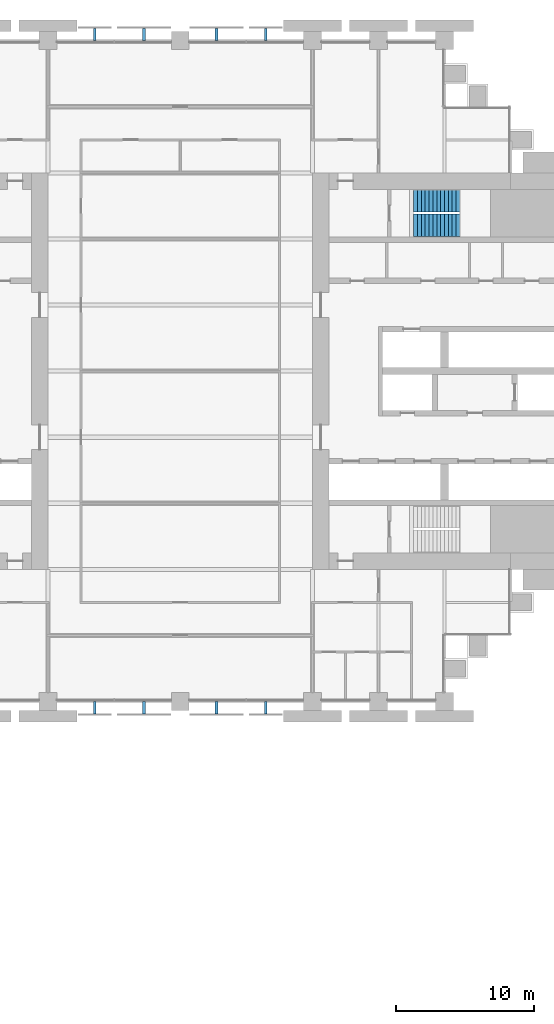
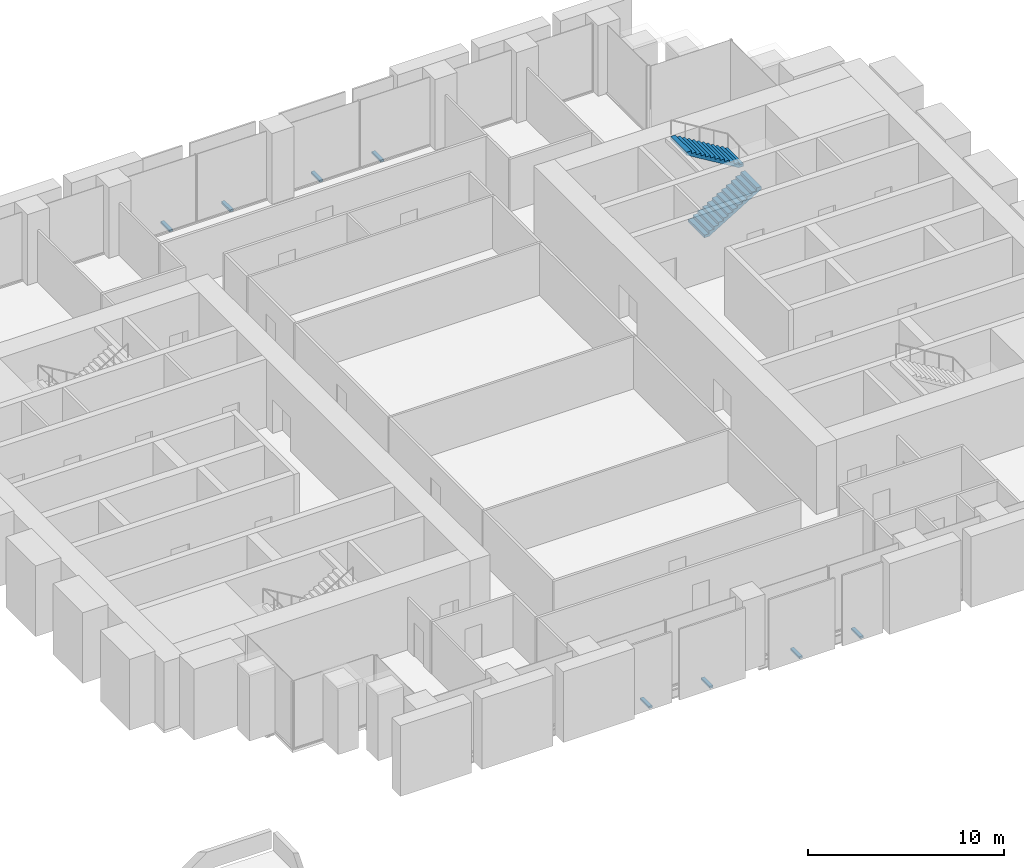
# One storey, part 13 of 14: 8 discrete accessories, 2 stair flights, 1 element without a shape of its own.
"""IFC4 building model written with IfcOpenShell, lengths in metres."""

import ifcopenshell
import ifcopenshell.guid

model = None  # the IFC model being written
_history = None  # IfcOwnerHistory: only IFC2X3 demands one
_inside = {}  # id of a spatial element -> (the spatial element, [elements in it])
_under = {}  # id of a project, library or spatial element -> (it, [spatial elements below it])
_declared = {}  # id of a project -> (the project, [libraries it declares])
_typed = {}  # id of a type object -> (the type object, [elements of that type])
_made_of = {}  # id of a material, layer set ... -> (it, [elements and type objects made of it])


def new_model(schema):
    """Start an empty IFC model of exactly this schema.

    Asked for "IFC4X3", IfcOpenShell would pick the latest addendum, in which some entities
    have other attributes; the version numbers below select the first issue.
    IFC2X3 requires an IfcOwnerHistory on every rooted entity: one is made here for all.
    """
    global model, _history
    if schema == "IFC4X3":
        model = ifcopenshell.file(schema_version=(4, 3, 0, 0))
    else:
        model = ifcopenshell.file(schema=schema)
    _inside.clear()
    _under.clear()
    _declared.clear()
    _typed.clear()
    _made_of.clear()
    _history = None
    if model.schema == "IFC2X3":
        org = make("IfcOrganization", Name="unknown")
        user = make(
            "IfcPersonAndOrganization",
            ThePerson=make("IfcPerson", FamilyName="unknown"),
            TheOrganization=org,
        )
        app = make(
            "IfcApplication",
            ApplicationDeveloper=org,
            Version="unknown",
            ApplicationFullName="unknown",
            ApplicationIdentifier="unknown",
        )
        _history = make(
            "IfcOwnerHistory",
            OwningUser=user,
            OwningApplication=app,
            ChangeAction="ADDED",
            CreationDate=0,
        )
    return model


def make(cls, **values):
    """One entity of the class cls with the attributes given. An attribute that is None is left unset."""
    return model.create_entity(
        cls, **{name: value for name, value in values.items() if value is not None}
    )


def rooted(cls, **values):
    """An entity with a GlobalId (a new one), such as an element, a storey or a relation."""
    return make(cls, GlobalId=ifcopenshell.guid.new(), OwnerHistory=_history, **values)


def si_unit(unit_type, name, prefix=None):
    """IfcSIUnit, for example si_unit("LENGTHUNIT", "METRE", prefix="MILLI")."""
    return make("IfcSIUnit", UnitType=unit_type, Prefix=prefix, Name=name)


def assignment(units):
    """IfcUnitAssignment: the units of a project."""
    return None if units is None else make("IfcUnitAssignment", Units=units)


def point(xyz):
    """IfcCartesianPoint."""
    return None if xyz is None else make("IfcCartesianPoint", Coordinates=xyz)


def direction(xyz):
    """IfcDirection."""
    return None if xyz is None else make("IfcDirection", DirectionRatios=xyz)


def frame(location, z_axis=None, x_axis=None):
    """IfcAxis2Placement3D, a coordinate frame: its origin and axes. An axis left out is left unset."""
    return make(
        "IfcAxis2Placement3D",
        Location=point(location),
        Axis=direction(z_axis),
        RefDirection=direction(x_axis),
    )


def frame_2d(location, x_axis=None):
    """IfcAxis2Placement2D, a coordinate frame in the plane: its origin and x axis."""
    return make(
        "IfcAxis2Placement2D", Location=point(location), RefDirection=direction(x_axis)
    )


def origin():
    """The frame at (0, 0, 0) with its axes left unset."""
    return frame((0.0, 0.0, 0.0))


def origin_2d():
    """The frame at (0, 0) in the plane with its x axis left unset."""
    return frame_2d((0.0, 0.0))


def place(relative_to, where):
    """IfcLocalPlacement: puts the frame where relative to a parent placement (None: the world)."""
    return make(
        "IfcLocalPlacement", PlacementRelTo=relative_to, RelativePlacement=where
    )


def context(
    kind, dimensions, precision=None, world=None, true_north=None, identifier=None
):
    """IfcGeometricRepresentationContext, for example the 3D "Model" context."""
    return make(
        "IfcGeometricRepresentationContext",
        ContextIdentifier=identifier,
        ContextType=kind,
        CoordinateSpaceDimension=dimensions,
        Precision=precision,
        WorldCoordinateSystem=world,
        TrueNorth=true_north,
    )


def subcontext(parent, identifier, kind, view, scale=None):
    """IfcGeometricRepresentationSubContext, for example "Body" below "Model"."""
    return make(
        "IfcGeometricRepresentationSubContext",
        ContextIdentifier=identifier,
        ContextType=kind,
        ParentContext=parent,
        TargetScale=scale,
        TargetView=view,
    )


def project(units=None, contexts=None):
    """IfcProject with its units and contexts."""
    return rooted(
        "IfcProject",
        Name="project",
        RepresentationContexts=contexts,
        UnitsInContext=assignment(units),
    )


def spatial(cls, under=None, at=None, **own):
    """A site, building, storey or space (cls), placed at a placement, below another one or the project."""
    s = rooted(cls, ObjectPlacement=at, **own)
    if under is not None:
        _under.setdefault(under.id(), (under, []))[1].append(s)
    return s


def polyline(points):
    """IfcPolyline through the points."""
    return make("IfcPolyline", Points=[point(p) for p in points])


def profile(cls, at=None, kind="AREA", **sizes):
    """A parametric profile (cls). Its sizes go by their IFC names, for example OverallWidth=200.0."""
    return make(cls, ProfileType=kind, Position=at, **sizes)


def rectangle(**sizes):
    """IfcRectangleProfileDef."""
    return profile("IfcRectangleProfileDef", **sizes)


def outline(outer, holes=None, kind="AREA"):
    """IfcArbitraryClosedProfileDef: a profile drawn as a closed curve; with holes, ...WithVoids."""
    if holes is None:
        return make("IfcArbitraryClosedProfileDef", ProfileType=kind, OuterCurve=outer)
    return make(
        "IfcArbitraryProfileDefWithVoids",
        ProfileType=kind,
        OuterCurve=outer,
        InnerCurves=holes,
    )


def extrude(swept, where, along, depth):
    """IfcExtrudedAreaSolid: the profile swept, set in the frame where, extruded along a direction by depth."""
    return make(
        "IfcExtrudedAreaSolid",
        SweptArea=swept,
        Position=where,
        ExtrudedDirection=direction(along),
        Depth=depth,
    )


def shape(context_of_items, identifier, shape_type, items):
    """IfcShapeRepresentation: the items that make up one representation, for example the "Body"."""
    return make(
        "IfcShapeRepresentation",
        ContextOfItems=context_of_items,
        RepresentationIdentifier=identifier,
        RepresentationType=shape_type,
        Items=items,
    )


def material(Name=None, Category=None):
    """IfcMaterial."""
    return make("IfcMaterial", Name=Name, Category=Category)


def made_of(thing, what):
    """Note that an element or type object is made of a material, layer set ...; save() writes the relation."""
    if what is not None:
        _made_of.setdefault(what.id(), (what, []))[1].append(thing)
    return thing


def type_object(cls, material=None, **own):
    """A type object (cls), such as IfcWallType, which elements share."""
    return made_of(rooted(cls, **own), material)


def element(
    cls,
    number,
    at=None,
    inside=None,
    cuts=None,
    type_object=None,
    material=None,
    context=None,
    identifier="Body",
    shape_type=None,
    held_by="IfcProductDefinitionShape",
    body=None,
    shapes=None,
    **own,
):
    """One element of the class cls, such as IfcWall. Its Tag is "e" and its number.

    at: its placement. inside: the storey or other place that contains it. cuts: it is an
    opening in that element (IfcRelVoidsElement). A single representation is given by context,
    identifier, shape_type and body (its items); several are given by shapes. held_by: the class
    of the entity that holds the representations. save() writes the other relations.
    """
    e = rooted(cls, Tag="e%d" % number, ObjectPlacement=at, **own)
    if body is not None:
        shapes = [shape(context, identifier, shape_type, body)]
    if shapes is not None:
        e.Representation = make(held_by, Representations=shapes)
    if inside is not None:
        _inside.setdefault(inside.id(), (inside, []))[1].append(e)
    if cuts is not None:
        rooted(
            "IfcRelVoidsElement", RelatingBuildingElement=cuts, RelatedOpeningElement=e
        )
    if type_object is not None:
        _typed.setdefault(type_object.id(), (type_object, []))[1].append(e)
    return made_of(e, material)


def aggregate(whole, parts):
    """IfcRelAggregates: a whole, such as a stair, and the parts it consists of."""
    return rooted("IfcRelAggregates", RelatingObject=whole, RelatedObjects=parts)


def save(model, path):
    """Write the relations noted so far, then the file.

    IfcRelAggregates (storeys below a building ...), IfcRelContainedInSpatialStructure (elements
    in a storey), IfcRelDefinesByType, IfcRelAssociatesMaterial and IfcRelDeclares: one each for
    every whole, place, type object, material and project.
    """
    for whole, parts in _under.values():
        aggregate(whole, parts)
    for where, things in _inside.values():
        rooted(
            "IfcRelContainedInSpatialStructure",
            RelatedElements=things,
            RelatingStructure=where,
        )
    for kind, things in _typed.values():
        rooted("IfcRelDefinesByType", RelatedObjects=things, RelatingType=kind)
    for what, things in _made_of.values():
        rooted("IfcRelAssociatesMaterial", RelatedObjects=things, RelatingMaterial=what)
    for by, libraries in _declared.values():
        rooted("IfcRelDeclares", RelatingContext=by, RelatedDefinitions=libraries)
    model.write(path)


model = new_model("IFC4")

# Units and contexts
model_context = context("Model", 3, precision=1e-05, world=origin(), true_north=direction((0.0, 1.0)))
body_context = subcontext(model_context, "Body", "Model", "MODEL_VIEW")
ifc_project = project(units=[si_unit("LENGTHUNIT", "METRE"), si_unit("AREAUNIT", "SQUARE_METRE"), si_unit("VOLUMEUNIT", "CUBIC_METRE"), si_unit("PLANEANGLEUNIT", "RADIAN"), si_unit("MASSUNIT", "GRAM", prefix="KILO")], contexts=[model_context])

# Site, building, storey
site_placement = place(None, origin())
site = spatial("IfcSite", under=ifc_project, at=site_placement, CompositionType="ELEMENT")
building_placement = place(site_placement, origin())
building = spatial("IfcBuilding", under=site, at=building_placement, Name="Baori Bourse Tower", CompositionType="ELEMENT")
storey_placement = place(building_placement, frame((0.0, 0.0, 30.199951171875)))
storey = spatial("IfcBuildingStorey", under=building, at=storey_placement, Name="L05", CompositionType="ELEMENT", Elevation=30.199951171875)

# Stair, stair flights
ifc_material_1 = material(Name="Concrete f'c 50 MPa", Category="concrete")
stair_type = type_object("IfcStairType", Name="Core stair", PredefinedType="HALF_TURN_STAIR", material=ifc_material_1)
stair_placement = place(storey_placement, origin())
stair = element("IfcStair", 1, at=stair_placement, inside=storey, type_object=stair_type, Name="L05 Stair EB", PredefinedType="HALF_TURN_STAIR")
ifc_material_2 = material(Name="Concrete f'c 50 MPa", Category="concrete")
stair_flight_type = type_object("IfcStairFlightType", Name="Core stair flight", PredefinedType="STRAIGHT", material=ifc_material_2)
stair_flight_1_placement = place(storey_placement, frame((45.75, 34.574951171875, 0.0), z_axis=(0.0, 0.0, 1.0), x_axis=(1.0, 0.0, 0.0)))
stair_flight_1 = element("IfcStairFlight", 2, at=stair_flight_1_placement, type_object=stair_flight_type, Name="ST4 flight 1", NumberOfRisers=13, NumberOfTreads=12, PredefinedType="STRAIGHT", RiserHeight=0.169230769, TreadLength=0.28, context=body_context, shape_type="SweptSolid", body=[
    extrude(outline(polyline([(0.0, 0.0), (0.0, 0.169189453125), (0.280029296875, 0.169189453125), (0.280029296875, 0.33837890625), (0.56005859375, 0.33837890625), (0.56005859375, 0.5078125), (0.840087890625, 0.5078125), (0.840087890625, 0.677001953125), (1.1201171875, 0.677001953125), (1.1201171875, 0.84619140625), (1.39990234375, 0.84619140625), (1.39990234375, 1.015380859375), (1.679931640625, 1.015380859375), (1.679931640625, 1.1845703125), (1.9599609375, 1.1845703125), (1.9599609375, 1.353759765625), (2.239990234375, 1.353759765625), (2.239990234375, 1.523193359375), (2.52001953125, 1.523193359375), (2.52001953125, 1.6923828125), (2.800048828125, 1.6923828125), (2.800048828125, 1.861572265625), (3.080078125, 1.861572265625), (3.080078125, 2.03076171875), (3.360107421875, 2.03076171875), (3.360107421875, 2.199951171875), (3.360107421875, 1.855712890625), (0.289794921875, 0.0), (0.0, 0.0)])), frame((0.0, 0.824951171875, 0.0), z_axis=(0.0, -1.0, 0.0), x_axis=(1.0, 0.0, 0.0)), (0.0, 0.0, 1.0), 1.64990234375),
])
stair_flight_2_placement = place(storey_placement, frame((49.110107421875, 36.375, 2.199951171875), z_axis=(0.0, 0.0, 1.0), x_axis=(-1.0, 0.0, 0.0)))
stair_flight_2 = element("IfcStairFlight", 3, at=stair_flight_2_placement, type_object=stair_flight_type, Name="ST4 flight 2", NumberOfRisers=13, NumberOfTreads=12, PredefinedType="STRAIGHT", RiserHeight=0.169230769, TreadLength=0.28, context=body_context, shape_type="SweptSolid", body=[
    extrude(outline(polyline([(0.0, 0.0), (0.0, 0.169189453125), (0.280029296875, 0.169189453125), (0.280029296875, 0.33837890625), (0.56005859375, 0.33837890625), (0.56005859375, 0.5078125), (0.840087890625, 0.5078125), (0.840087890625, 0.677001953125), (1.1201171875, 0.677001953125), (1.1201171875, 0.84619140625), (1.39990234375, 0.84619140625), (1.39990234375, 1.015380859375), (1.679931640625, 1.015380859375), (1.679931640625, 1.1845703125), (1.9599609375, 1.1845703125), (1.9599609375, 1.353759765625), (2.239990234375, 1.353759765625), (2.239990234375, 1.523193359375), (2.52001953125, 1.523193359375), (2.52001953125, 1.6923828125), (2.800048828125, 1.6923828125), (2.800048828125, 1.861572265625), (3.080078125, 1.861572265625), (3.080078125, 2.03076171875), (3.360107421875, 2.03076171875), (3.360107421875, 2.199951171875), (3.360107421875, 1.855712890625), (0.289794921875, 0.0), (0.0, 0.0)])), frame((0.0, 0.824951171875, 0.0), z_axis=(0.0, -1.0, 0.0), x_axis=(1.0, 0.0, 0.0)), (0.0, 0.0, 1.0), 1.64990234375),
])
aggregate(stair, [stair_flight_1, stair_flight_2])

# Discrete accessories
ifc_material_3 = material(Name="Pale anodised aluminium", Category="aluminium")
discrete_accessory_type = type_object("IfcDiscreteAccessoryType", Name="OS2 Outer skin bracket", PredefinedType="BRACKET", material=ifc_material_3)
for number, where, z_axis, x_axis, name in (
    (4, (35.012451171875, 48.449951171875, -0.143798828125), (0.0, 0.0, 1.0), (-1.0, 0.0, 0.0), "Outer skin bracket L05 1"),
    (5, (31.4375, 48.449951171875, -0.143798828125), (0.0, 0.0, 1.0), (-1.0, 0.0, 0.0), "Outer skin bracket L05 2"),
    (6, (26.16259765625, 48.449951171875, -0.143798828125), (0.0, 0.0, 1.0), (-1.0, 0.0, 0.0), "Outer skin bracket L05 3"),
    (7, (22.58740234375, 48.449951171875, -0.143798828125), (0.0, 0.0, 1.0), (-1.0, 0.0, 0.0), "Outer skin bracket L05 4"),
    (8, (22.58740234375, -0.449951171875, -0.143798828125), (0.0, 0.0, 1.0), (1.0, 0.0, 0.0), "Outer skin bracket L05 5"),
    (9, (26.16259765625, -0.449951171875, -0.143798828125), (0.0, 0.0, 1.0), (1.0, 0.0, 0.0), "Outer skin bracket L05 6"),
    (10, (31.4375, -0.449951171875, -0.143798828125), (0.0, 0.0, 1.0), (1.0, 0.0, 0.0), "Outer skin bracket L05 7"),
    (11, (35.012451171875, -0.449951171875, -0.143798828125), (0.0, 0.0, 1.0), (1.0, 0.0, 0.0), "Outer skin bracket L05 8"),
):
    element("IfcDiscreteAccessory", number, at=place(storey_placement, frame(where, z_axis=z_axis, x_axis=x_axis)), inside=storey, type_object=discrete_accessory_type, Name=name, PredefinedType="BRACKET", context=body_context, shape_type="SweptSolid", body=[
        extrude(rectangle(XDim=0.199951171875, YDim=0.89990234375, at=origin_2d()), origin(), (0.0, 0.0, 1.0), 0.1279296875),
    ])

save(model, "model.ifc")
